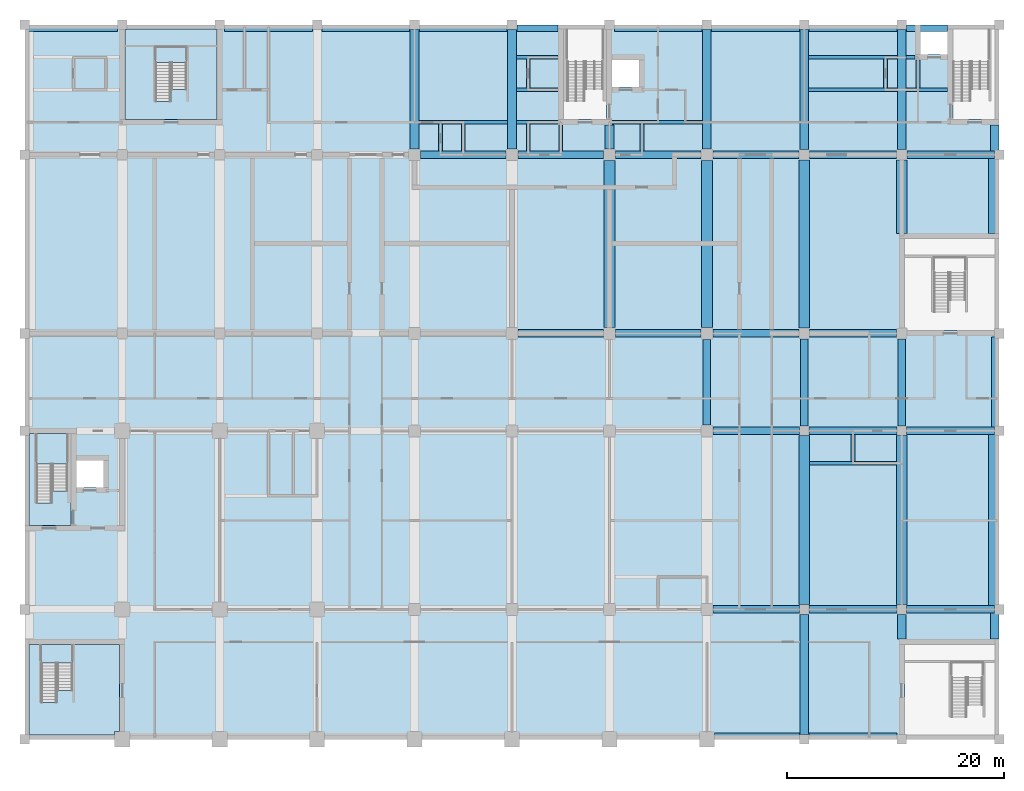
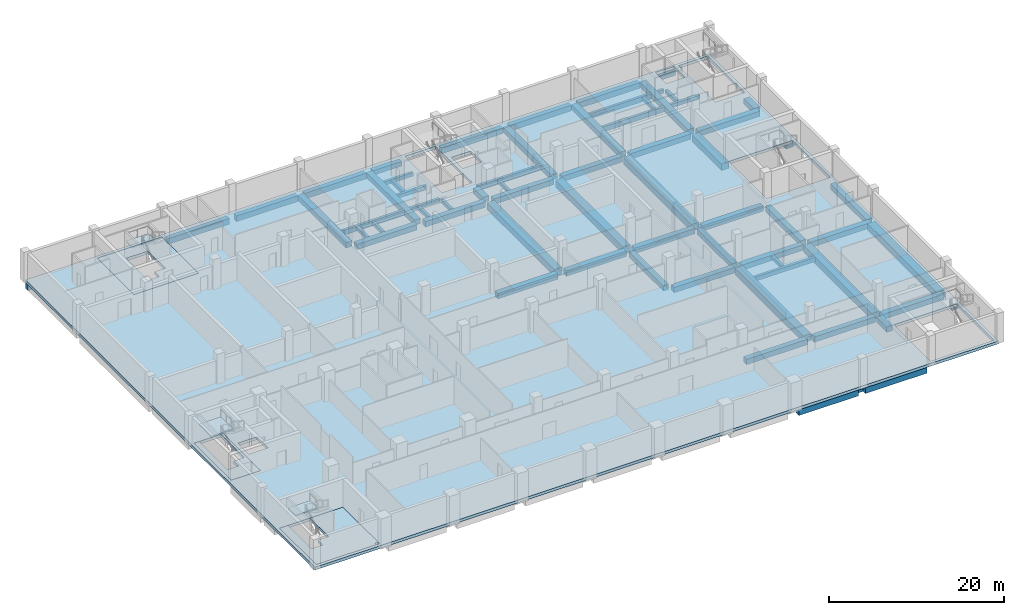
# One storey, part 2 of 16: 68 beams, 7 slabs, 3 elements without a shape of their own.
"""IFC4 building model written with IfcOpenShell, lengths in metres."""

from ifc_helpers import new_model, si_unit, direction, frame, origin, origin_2d, place, context, subcontext, project, spatial, polyline, rectangle, outline, extrude, material, layer, layer_set, material_profile, profile_set, type_object, element, aggregate, save


model = new_model("IFC4")

# Units and contexts
model_context = context("Model", 3, precision=1e-05, world=origin(), true_north=direction((0.0, 1.0)))
body_context = subcontext(model_context, "Body", "Model", "MODEL_VIEW")
ifc_project = project(units=[si_unit("LENGTHUNIT", "METRE"), si_unit("AREAUNIT", "SQUARE_METRE"), si_unit("VOLUMEUNIT", "CUBIC_METRE"), si_unit("PLANEANGLEUNIT", "RADIAN"), si_unit("MASSUNIT", "GRAM", prefix="KILO")], contexts=[model_context])

# Site, building, storey
site_placement = place(None, origin())
site = spatial("IfcSite", under=ifc_project, at=site_placement, CompositionType="ELEMENT")
building_placement = place(site_placement, origin())
building = spatial("IfcBuilding", under=site, at=building_placement, Name="Aurelan Courthouse", CompositionType="ELEMENT")
storey_placement = place(building_placement, frame((0.0, 0.0, -4.199951171875)))
storey = spatial("IfcBuildingStorey", under=building, at=storey_placement, Name="B1", CompositionType="ELEMENT", Elevation=-4.199951171875)

# Beams
ifc_material_1 = material(Name="Concrete C50", Category="concrete")
ifc_material_profile_1 = material_profile(ifc_material_1, rectangle(XDim=0.699951171875, YDim=0.75, at=origin_2d()), Name="RC 700 x 750")
ifc_profile_set_1 = profile_set([ifc_material_profile_1], Name="Concrete C50")
beam_type_1 = type_object("IfcBeamType", Name="PT beam 700 x 750", PredefinedType="BEAM", material=ifc_profile_set_1)
beam_1_placement = place(storey_placement, frame((63.0, 29.050048828125, -0.775146484375), z_axis=(0.0, 1.0, 0.0), x_axis=(-1.0, 0.0, 0.0)))
element("IfcBeam", 1, at=beam_1_placement, inside=storey, type_object=beam_type_1, Name="Girder GB-8CD", PredefinedType="BEAM", context=body_context, shape_type="SweptSolid", body=[
    extrude(rectangle(XDim=0.699951171875, YDim=0.75, at=origin_2d()), origin(), (0.0, 0.0, 1.0), 7.89990234375),
])
for number, where, z_axis, x_axis, name in (
    (2, (72.0, 28.949951171875, -0.775146484375), (0.0, 1.0, 0.0), (-1.0, 0.0, 0.0), "Girder GB-9CD"),
    (3, (81.0, 28.949951171875, -0.775146484375), (0.0, 1.0, 0.0), (-1.0, 0.0, 0.0), "Girder GB-10CD"),
):
    element("IfcBeam", number, at=place(storey_placement, frame(where, z_axis=z_axis, x_axis=x_axis)), inside=storey, type_object=beam_type_1, Name=name, PredefinedType="BEAM", context=body_context, shape_type="SweptSolid", body=[
        extrude(rectangle(XDim=0.699951171875, YDim=0.75, at=origin_2d()), origin(), (0.0, 0.0, 1.0), 8.050048828125),
    ])
beam_2_placement = place(storey_placement, frame((89.64990234375, 28.85009765625, -0.775146484375), z_axis=(0.0, 1.0, 0.0), x_axis=(-1.0, 0.0, 0.0)))
element("IfcBeam", 4, at=beam_2_placement, inside=storey, type_object=beam_type_1, Name="Girder GB-11CD-E", PredefinedType="BEAM", context=body_context, shape_type="SweptSolid", body=[
    extrude(rectangle(XDim=0.699951171875, YDim=0.75, at=origin_2d()), origin(), (0.0, 0.0, 1.0), 8.2998046875),
])
beam_3_placement = place(storey_placement, frame((63.550048828125, 12.0, -0.775146484375), z_axis=(1.0, 0.0, 0.0), x_axis=(0.0, 1.0, 0.0)))
element("IfcBeam", 5, at=beam_3_placement, inside=storey, type_object=beam_type_1, Name="Beam EB-B-8-9", PredefinedType="BEAM", context=body_context, shape_type="SweptSolid", body=[
    extrude(rectangle(XDim=0.699951171875, YDim=0.75, at=origin_2d()), origin(), (0.0, 0.0, 1.0), 8.0),
])
for number, where, z_axis, x_axis, name in (
    (6, (72.449951171875, 12.0, -0.775146484375), (1.0, 0.0, 0.0), (0.0, 1.0, 0.0), "Beam EB-B-9-10"),
    (7, (81.449951171875, 12.0, -0.775146484375), (1.0, 0.0, 0.0), (0.0, 1.0, 0.0), "Beam EB-B-10-11"),
):
    element("IfcBeam", number, at=place(storey_placement, frame(where, z_axis=z_axis, x_axis=x_axis)), inside=storey, type_object=beam_type_1, Name=name, PredefinedType="BEAM", context=body_context, shape_type="SweptSolid", body=[
        extrude(rectangle(XDim=0.699951171875, YDim=0.75, at=origin_2d()), origin(), (0.0, 0.0, 1.0), 8.10009765625),
    ])
beam_4_placement = place(storey_placement, frame((63.550048828125, 28.5, -0.775146484375), z_axis=(1.0, 0.0, 0.0), x_axis=(0.0, 1.0, 0.0)))
element("IfcBeam", 8, at=beam_4_placement, inside=storey, type_object=beam_type_1, Name="Beam EB-C-8-9", PredefinedType="BEAM", context=body_context, shape_type="SweptSolid", body=[
    extrude(rectangle(XDim=0.699951171875, YDim=0.75, at=origin_2d()), origin(), (0.0, 0.0, 1.0), 8.0),
])
for number, where, z_axis, x_axis, name in (
    (9, (72.449951171875, 28.5, -0.775146484375), (1.0, 0.0, 0.0), (0.0, 1.0, 0.0), "Beam EB-C-9-10"),
    (10, (81.449951171875, 28.5, -0.775146484375), (1.0, 0.0, 0.0), (0.0, 1.0, 0.0), "Beam EB-C-10-11"),
):
    element("IfcBeam", number, at=place(storey_placement, frame(where, z_axis=z_axis, x_axis=x_axis)), inside=storey, type_object=beam_type_1, Name=name, PredefinedType="BEAM", context=body_context, shape_type="SweptSolid", body=[
        extrude(rectangle(XDim=0.699951171875, YDim=0.75, at=origin_2d()), origin(), (0.0, 0.0, 1.0), 8.10009765625),
    ])
for number, where, z_axis, x_axis, name in (
    (11, (45.550048828125, 37.5, -0.775146484375), (1.0, 0.0, 0.0), (0.0, 1.0, 0.0), "Beam EB-D-6-7"),
    (12, (54.550048828125, 37.5, -0.775146484375), (1.0, 0.0, 0.0), (0.0, 1.0, 0.0), "Beam EB-D-7-8"),
):
    element("IfcBeam", number, at=place(storey_placement, frame(where, z_axis=z_axis, x_axis=x_axis)), inside=storey, type_object=beam_type_1, Name=name, PredefinedType="BEAM", context=body_context, shape_type="SweptSolid", body=[
        extrude(rectangle(XDim=0.699951171875, YDim=0.75, at=origin_2d()), origin(), (0.0, 0.0, 1.0), 7.89990234375),
    ])
beam_5_placement = place(storey_placement, frame((63.550048828125, 37.5, -0.775146484375), z_axis=(1.0, 0.0, 0.0), x_axis=(0.0, 1.0, 0.0)))
element("IfcBeam", 13, at=beam_5_placement, inside=storey, type_object=beam_type_1, Name="Beam EB-D-8-9", PredefinedType="BEAM", context=body_context, shape_type="SweptSolid", body=[
    extrude(rectangle(XDim=0.699951171875, YDim=0.75, at=origin_2d()), origin(), (0.0, 0.0, 1.0), 7.949951171875),
])
beam_6_placement = place(storey_placement, frame((72.5, 37.5, -0.775146484375), z_axis=(1.0, 0.0, 0.0), x_axis=(0.0, 1.0, 0.0)))
element("IfcBeam", 14, at=beam_6_placement, inside=storey, type_object=beam_type_1, Name="Beam EB-D-9-10", PredefinedType="BEAM", context=body_context, shape_type="SweptSolid", body=[
    extrude(rectangle(XDim=0.699951171875, YDim=0.75, at=origin_2d()), origin(), (0.0, 0.0, 1.0), 8.0),
])
for number, where, z_axis, x_axis, name in (
    (15, (36.550048828125, 54.0, -0.775146484375), (1.0, 0.0, 0.0), (0.0, 1.0, 0.0), "Beam EB-E-5-6"),
    (16, (45.550048828125, 54.0, -0.775146484375), (1.0, 0.0, 0.0), (0.0, 1.0, 0.0), "Beam EB-E-6-7"),
    (17, (54.550048828125, 54.0, -0.775146484375), (1.0, 0.0, 0.0), (0.0, 1.0, 0.0), "Beam EB-E-7-8"),
):
    element("IfcBeam", number, at=place(storey_placement, frame(where, z_axis=z_axis, x_axis=x_axis)), inside=storey, type_object=beam_type_1, Name=name, PredefinedType="BEAM", context=body_context, shape_type="SweptSolid", body=[
        extrude(rectangle(XDim=0.699951171875, YDim=0.75, at=origin_2d()), origin(), (0.0, 0.0, 1.0), 7.89990234375),
    ])
beam_7_placement = place(storey_placement, frame((63.550048828125, 54.0, -0.775146484375), z_axis=(1.0, 0.0, 0.0), x_axis=(0.0, 1.0, 0.0)))
element("IfcBeam", 18, at=beam_7_placement, inside=storey, type_object=beam_type_1, Name="Beam EB-E-8-9", PredefinedType="BEAM", context=body_context, shape_type="SweptSolid", body=[
    extrude(rectangle(XDim=0.699951171875, YDim=0.75, at=origin_2d()), origin(), (0.0, 0.0, 1.0), 7.949951171875),
])
beam_8_placement = place(storey_placement, frame((72.5, 54.0, -0.775146484375), z_axis=(1.0, 0.0, 0.0), x_axis=(0.0, 1.0, 0.0)))
element("IfcBeam", 19, at=beam_8_placement, inside=storey, type_object=beam_type_1, Name="Beam EB-E-9-10", PredefinedType="BEAM", context=body_context, shape_type="SweptSolid", body=[
    extrude(rectangle(XDim=0.699951171875, YDim=0.75, at=origin_2d()), origin(), (0.0, 0.0, 1.0), 8.0),
])
beam_9_placement = place(storey_placement, frame((81.5, 54.0, -0.775146484375), z_axis=(1.0, 0.0, 0.0), x_axis=(0.0, 1.0, 0.0)))
element("IfcBeam", 20, at=beam_9_placement, inside=storey, type_object=beam_type_1, Name="Beam EB-E-10-11", PredefinedType="BEAM", context=body_context, shape_type="SweptSolid", body=[
    extrude(rectangle(XDim=0.699951171875, YDim=0.75, at=origin_2d()), origin(), (0.0, 0.0, 1.0), 8.050048828125),
])
ifc_material_profile_2 = material_profile(ifc_material_1, rectangle(XDim=1.0, YDim=0.949951171875, at=origin_2d()), Name="RC 1000 x 950")
ifc_profile_set_2 = profile_set([ifc_material_profile_2], Name="Concrete C50")
beam_type_2 = type_object("IfcBeamType", Name="PT girder 1000 x 950", PredefinedType="BEAM", material=ifc_profile_set_2)
for number, where, z_axis, x_axis, name in (
    (21, (54.0, 38.050048828125, -0.875), (0.0, 1.0, 0.0), (-1.0, 0.0, 0.0), "Girder GB-7DE"),
    (22, (63.0, 38.050048828125, -0.875), (0.0, 1.0, 0.0), (-1.0, 0.0, 0.0), "Girder GB-8DE"),
):
    element("IfcBeam", number, at=place(storey_placement, frame(where, z_axis=z_axis, x_axis=x_axis)), inside=storey, type_object=beam_type_2, Name=name, PredefinedType="BEAM", context=body_context, shape_type="SweptSolid", body=[
        extrude(rectangle(XDim=1.0, YDim=0.949951171875, at=origin_2d()), origin(), (0.0, 0.0, 1.0), 15.39990234375),
    ])
beam_10_placement = place(storey_placement, frame((72.0, 12.449951171875, -0.875), z_axis=(0.0, 1.0, 0.0), x_axis=(-1.0, 0.0, 0.0)))
element("IfcBeam", 23, at=beam_10_placement, inside=storey, type_object=beam_type_2, Name="Girder GB-9BC", PredefinedType="BEAM", context=body_context, shape_type="SweptSolid", body=[
    extrude(rectangle(XDim=1.0, YDim=0.949951171875, at=origin_2d()), origin(), (0.0, 0.0, 1.0), 15.60009765625),
])
beam_11_placement = place(storey_placement, frame((72.0, 38.0, -0.875), z_axis=(0.0, 1.0, 0.0), x_axis=(-1.0, 0.0, 0.0)))
element("IfcBeam", 24, at=beam_11_placement, inside=storey, type_object=beam_type_2, Name="Girder GB-9DE", PredefinedType="BEAM", context=body_context, shape_type="SweptSolid", body=[
    extrude(rectangle(XDim=1.0, YDim=0.949951171875, at=origin_2d()), origin(), (0.0, 0.0, 1.0), 15.5),
])
beam_12_placement = place(storey_placement, frame((81.0, 12.449951171875, -0.875), z_axis=(0.0, 1.0, 0.0), x_axis=(-1.0, 0.0, 0.0)))
element("IfcBeam", 25, at=beam_12_placement, inside=storey, type_object=beam_type_2, Name="Girder GB-10BC", PredefinedType="BEAM", context=body_context, shape_type="SweptSolid", body=[
    extrude(rectangle(XDim=1.0, YDim=0.949951171875, at=origin_2d()), origin(), (0.0, 0.0, 1.0), 15.60009765625),
])
beam_13_placement = place(storey_placement, frame((81.0, 46.75, -0.875), z_axis=(0.0, 1.0, 0.0), x_axis=(-1.0, 0.0, 0.0)))
element("IfcBeam", 26, at=beam_13_placement, inside=storey, type_object=beam_type_2, Name="Girder GB-10DE", PredefinedType="BEAM", context=body_context, shape_type="SweptSolid", body=[
    extrude(rectangle(XDim=1.0, YDim=0.949951171875, at=origin_2d()), origin(), (0.0, 0.0, 1.0), 6.75),
])
beam_14_placement = place(storey_placement, frame((89.5, 12.35009765625, -0.875), z_axis=(0.0, 1.0, 0.0), x_axis=(-1.0, 0.0, 0.0)))
element("IfcBeam", 27, at=beam_14_placement, inside=storey, type_object=beam_type_2, Name="Girder GB-11BC-E", PredefinedType="BEAM", context=body_context, shape_type="SweptSolid", body=[
    extrude(rectangle(XDim=1.0, YDim=0.949951171875, at=origin_2d()), origin(), (0.0, 0.0, 1.0), 15.7998046875),
])
beam_15_placement = place(storey_placement, frame((89.5, 46.75, -0.875), z_axis=(0.0, 1.0, 0.0), x_axis=(-1.0, 0.0, 0.0)))
element("IfcBeam", 28, at=beam_15_placement, inside=storey, type_object=beam_type_2, Name="Girder GB-11DE-E", PredefinedType="BEAM", context=body_context, shape_type="SweptSolid", body=[
    extrude(rectangle(XDim=1.0, YDim=0.949951171875, at=origin_2d()), origin(), (0.0, 0.0, 1.0), 6.89990234375),
])
ifc_material_profile_3 = material_profile(ifc_material_1, rectangle(XDim=0.800048828125, YDim=0.75, at=origin_2d()), Name="RC 800 x 750")
ifc_profile_set_3 = profile_set([ifc_material_profile_3], Name="Concrete C50")
beam_type_3 = type_object("IfcBeamType", Name="PT girder 800 x 750", PredefinedType="BEAM", material=ifc_profile_set_3)
for number, where, z_axis, x_axis, name in (
    (29, (36.0, 54.550048828125, -0.775146484375), (0.0, 1.0, 0.0), (-1.0, 0.0, 0.0), "Girder GB-5EF"),
    (30, (45.0, 54.550048828125, -0.775146484375), (0.0, 1.0, 0.0), (-1.0, 0.0, 0.0), "Girder GB-6EF"),
):
    element("IfcBeam", number, at=place(storey_placement, frame(where, z_axis=z_axis, x_axis=x_axis)), inside=storey, type_object=beam_type_3, Name=name, PredefinedType="BEAM", context=body_context, shape_type="SweptSolid", body=[
        extrude(rectangle(XDim=0.800048828125, YDim=0.75, at=origin_2d()), origin(), (0.0, 0.0, 1.0), 11.0),
    ])
beam_16_placement = place(storey_placement, frame((54.0, 54.550048828125, -0.775146484375), z_axis=(0.0, 1.0, 0.0), x_axis=(-1.0, 0.0, 0.0)))
element("IfcBeam", 31, at=beam_16_placement, inside=storey, type_object=beam_type_3, Name="Girder GB-7EF", PredefinedType="BEAM", context=body_context, shape_type="SweptSolid", body=[
    extrude(rectangle(XDim=0.800048828125, YDim=0.75, at=origin_2d()), origin(), (0.0, 0.0, 1.0), 2.199951171875),
])
beam_17_placement = place(storey_placement, frame((63.0, 54.550048828125, -0.775146484375), z_axis=(0.0, 1.0, 0.0), x_axis=(-1.0, 0.0, 0.0)))
element("IfcBeam", 32, at=beam_17_placement, inside=storey, type_object=beam_type_3, Name="Girder GB-8EF", PredefinedType="BEAM", context=body_context, shape_type="SweptSolid", body=[
    extrude(rectangle(XDim=0.800048828125, YDim=0.75, at=origin_2d()), origin(), (0.0, 0.0, 1.0), 11.0),
])
beam_18_placement = place(storey_placement, frame((72.0, 0.449951171875, -0.775146484375), z_axis=(0.0, 1.0, 0.0), x_axis=(-1.0, 0.0, 0.0)))
element("IfcBeam", 33, at=beam_18_placement, inside=storey, type_object=beam_type_3, Name="Girder GB-9AB", PredefinedType="BEAM", context=body_context, shape_type="SweptSolid", body=[
    extrude(rectangle(XDim=0.800048828125, YDim=0.75, at=origin_2d()), origin(), (0.0, 0.0, 1.0), 11.10009765625),
])
beam_19_placement = place(storey_placement, frame((72.0, 54.5, -0.775146484375), z_axis=(0.0, 1.0, 0.0), x_axis=(-1.0, 0.0, 0.0)))
element("IfcBeam", 34, at=beam_19_placement, inside=storey, type_object=beam_type_3, Name="Girder GB-9EF", PredefinedType="BEAM", context=body_context, shape_type="SweptSolid", body=[
    extrude(rectangle(XDim=0.800048828125, YDim=0.75, at=origin_2d()), origin(), (0.0, 0.0, 1.0), 11.050048828125),
])
beam_20_placement = place(storey_placement, frame((81.0, 9.25, -0.775146484375), z_axis=(0.0, 1.0, 0.0), x_axis=(-1.0, 0.0, 0.0)))
element("IfcBeam", 35, at=beam_20_placement, inside=storey, type_object=beam_type_3, Name="Girder GB-10AB", PredefinedType="BEAM", context=body_context, shape_type="SweptSolid", body=[
    extrude(rectangle(XDim=0.800048828125, YDim=0.75, at=origin_2d()), origin(), (0.0, 0.0, 1.0), 2.300048828125),
])
beam_21_placement = place(storey_placement, frame((81.0, 54.5, -0.775146484375), z_axis=(0.0, 1.0, 0.0), x_axis=(-1.0, 0.0, 0.0)))
element("IfcBeam", 36, at=beam_21_placement, inside=storey, type_object=beam_type_3, Name="Girder GB-10EF", PredefinedType="BEAM", context=body_context, shape_type="SweptSolid", body=[
    extrude(rectangle(XDim=0.800048828125, YDim=0.75, at=origin_2d()), origin(), (0.0, 0.0, 1.0), 11.050048828125),
])
for number, where, z_axis, x_axis, name in (
    (37, (89.60009765625, 9.25, -0.775146484375), (0.0, 1.0, 0.0), (-1.0, 0.0, 0.0), "Girder GB-11AB-E"),
    (38, (89.60009765625, 54.35009765625, -0.775146484375), (0.0, 1.0, 0.0), (-1.0, 0.0, 0.0), "Girder GB-11EF-E"),
):
    element("IfcBeam", number, at=place(storey_placement, frame(where, z_axis=z_axis, x_axis=x_axis)), inside=storey, type_object=beam_type_3, Name=name, PredefinedType="BEAM", context=body_context, shape_type="SweptSolid", body=[
        extrude(rectangle(XDim=0.800048828125, YDim=0.75, at=origin_2d()), origin(), (0.0, 0.0, 1.0), 2.39990234375),
    ])
ifc_material_profile_4 = material_profile(ifc_material_1, rectangle(XDim=0.60009765625, YDim=0.64990234375, at=origin_2d()), Name="RC 600 x 650")
ifc_profile_set_4 = profile_set([ifc_material_profile_4], Name="Concrete C50")
beam_type_4 = type_object("IfcBeamType", Name="RC spandrel beam 600 x 650", PredefinedType="SPANDREL", material=ifc_profile_set_4)
for number, where, z_axis, x_axis, name in (
    (39, (45.449951171875, 65.699951171875, -0.72509765625), (1.0, 0.0, 0.0), (0.0, 1.0, 0.0), "Spandrel beam SB-F-6-7"),
    (40, (81.449951171875, 65.699951171875, -0.72509765625), (1.0, 0.0, 0.0), (0.0, 1.0, 0.0), "Spandrel beam SB-F-10-11"),
):
    element("IfcBeam", number, at=place(storey_placement, frame(where, z_axis=z_axis, x_axis=x_axis)), inside=storey, type_object=beam_type_4, Name=name, PredefinedType="SPANDREL", context=body_context, shape_type="SweptSolid", body=[
        extrude(rectangle(XDim=0.60009765625, YDim=0.64990234375, at=origin_2d()), origin(), (0.0, 0.0, 1.0), 3.800048828125),
    ])
ifc_material_profile_5 = material_profile(ifc_material_1, rectangle(XDim=0.60009765625, YDim=0.800048828125, at=origin_2d()), Name="RC 600 x 800")
ifc_profile_set_5 = profile_set([ifc_material_profile_5], Name="Concrete C50")
beam_type_5 = type_object("IfcBeamType", Name="RC spandrel beam 600 x 800", PredefinedType="SPANDREL", material=ifc_profile_set_5)
beam_22_placement = place(storey_placement, frame((63.699951171875, 0.300048828125, -0.800048828125), z_axis=(1.0, 0.0, 0.0), x_axis=(0.0, 1.0, 0.0)))
element("IfcBeam", 41, at=beam_22_placement, inside=storey, type_object=beam_type_5, Name="Spandrel beam SB-A-8-9", PredefinedType="SPANDREL", context=body_context, shape_type="SweptSolid", body=[
    extrude(rectangle(XDim=0.60009765625, YDim=0.800048828125, at=origin_2d()), origin(), (0.0, 0.0, 1.0), 7.85009765625),
])
beam_23_placement = place(storey_placement, frame((72.449951171875, 0.300048828125, -0.800048828125), z_axis=(1.0, 0.0, 0.0), x_axis=(0.0, 1.0, 0.0)))
element("IfcBeam", 42, at=beam_23_placement, inside=storey, type_object=beam_type_5, Name="Spandrel beam SB-A-9-10", PredefinedType="SPANDREL", context=body_context, shape_type="SweptSolid", body=[
    extrude(rectangle(XDim=0.60009765625, YDim=0.800048828125, at=origin_2d()), origin(), (0.0, 0.0, 1.0), 8.10009765625),
])
beam_24_placement = place(storey_placement, frame((0.0, 65.699951171875, -0.800048828125), z_axis=(1.0, 0.0, 0.0), x_axis=(0.0, 1.0, 0.0)))
element("IfcBeam", 43, at=beam_24_placement, inside=storey, type_object=beam_type_5, Name="Spandrel beam SB-F-1-2", PredefinedType="SPANDREL", context=body_context, shape_type="SweptSolid", body=[
    extrude(rectangle(XDim=0.60009765625, YDim=0.800048828125, at=origin_2d()), origin(), (0.0, 0.0, 1.0), 8.550048828125),
])
for number, where, z_axis, x_axis, name in (
    (44, (18.449951171875, 65.699951171875, -0.800048828125), (1.0, 0.0, 0.0), (0.0, 1.0, 0.0), "Spandrel beam SB-F-3-4"),
    (45, (27.449951171875, 65.699951171875, -0.800048828125), (1.0, 0.0, 0.0), (0.0, 1.0, 0.0), "Spandrel beam SB-F-4-5"),
    (46, (36.449951171875, 65.699951171875, -0.800048828125), (1.0, 0.0, 0.0), (0.0, 1.0, 0.0), "Spandrel beam SB-F-5-6"),
    (47, (54.449951171875, 65.699951171875, -0.800048828125), (1.0, 0.0, 0.0), (0.0, 1.0, 0.0), "Spandrel beam SB-F-7-8"),
    (48, (63.449951171875, 65.699951171875, -0.800048828125), (1.0, 0.0, 0.0), (0.0, 1.0, 0.0), "Spandrel beam SB-F-8-9"),
    (49, (72.449951171875, 65.699951171875, -0.800048828125), (1.0, 0.0, 0.0), (0.0, 1.0, 0.0), "Spandrel beam SB-F-9-10"),
):
    element("IfcBeam", number, at=place(storey_placement, frame(where, z_axis=z_axis, x_axis=x_axis)), inside=storey, type_object=beam_type_5, Name=name, PredefinedType="SPANDREL", context=body_context, shape_type="SweptSolid", body=[
        extrude(rectangle(XDim=0.60009765625, YDim=0.800048828125, at=origin_2d()), origin(), (0.0, 0.0, 1.0), 8.10009765625),
    ])
ifc_material_2 = material(Name="Concrete C40", Category="concrete")
ifc_material_profile_6 = material_profile(ifc_material_2, rectangle(XDim=0.35009765625, YDim=0.5, at=origin_2d()), Name="RC 350 x 500")
ifc_profile_set_6 = profile_set([ifc_material_profile_6], Name="Concrete C40")
beam_type_6 = type_object("IfcBeamType", Name="RC wall beam 350 x 500", PredefinedType="BEAM", material=ifc_profile_set_6)
for number, where, z_axis, x_axis, name in (
    (50, (81.39990234375, 60.0, -0.650146484375), (1.0, 0.0, 0.0), (0.0, 1.0, 0.0), "Wall beam WB-B1-008"),
    (51, (45.39990234375, 57.0, -0.650146484375), (1.0, 0.0, 0.0), (0.0, 1.0, 0.0), "Wall beam WB-B1-009"),
):
    element("IfcBeam", number, at=place(storey_placement, frame(where, z_axis=z_axis, x_axis=x_axis)), inside=storey, type_object=beam_type_6, Name=name, PredefinedType="BEAM", context=body_context, shape_type="SweptSolid", body=[
        extrude(rectangle(XDim=0.35009765625, YDim=0.5, at=origin_2d()), origin(), (0.0, 0.0, 1.0), 3.85009765625),
    ])
beam_25_placement = place(storey_placement, frame((81.39990234375, 63.0, -0.650146484375), z_axis=(1.0, 0.0, 0.0), x_axis=(0.0, 1.0, 0.0)))
element("IfcBeam", 52, at=beam_25_placement, inside=storey, type_object=beam_type_6, Name="Wall beam WB-B1-011", PredefinedType="BEAM", context=body_context, shape_type="SweptSolid", body=[
    extrude(rectangle(XDim=0.35009765625, YDim=0.5, at=origin_2d()), origin(), (0.0, 0.0, 1.0), 0.85009765625),
])
beam_26_placement = place(storey_placement, frame((49.5, 54.35009765625, -0.650146484375), z_axis=(0.0, 1.0, 0.0), x_axis=(-1.0, 0.0, 0.0)))
element("IfcBeam", 53, at=beam_26_placement, inside=storey, type_object=beam_type_6, Name="Wall beam WB-B1-013", PredefinedType="BEAM", context=body_context, shape_type="SweptSolid", body=[
    extrude(rectangle(XDim=0.35009765625, YDim=0.5, at=origin_2d()), origin(), (0.0, 0.0, 1.0), 2.39990234375),
])
for number, where, z_axis, x_axis, name in (
    (54, (45.39990234375, 60.0, -0.650146484375), (1.0, 0.0, 0.0), (0.0, 1.0, 0.0), "Wall beam WB-B1-014"),
    (55, (45.39990234375, 63.0, -0.650146484375), (1.0, 0.0, 0.0), (0.0, 1.0, 0.0), "Wall beam WB-B1-015"),
):
    element("IfcBeam", number, at=place(storey_placement, frame(where, z_axis=z_axis, x_axis=x_axis)), inside=storey, type_object=beam_type_6, Name=name, PredefinedType="BEAM", context=body_context, shape_type="SweptSolid", body=[
        extrude(rectangle(XDim=0.35009765625, YDim=0.5, at=origin_2d()), origin(), (0.0, 0.0, 1.0), 3.85009765625),
    ])
beam_27_placement = place(storey_placement, frame((82.5, 60.175048828125, -0.650146484375), z_axis=(0.0, 1.0, 0.0), x_axis=(-1.0, 0.0, 0.0)))
element("IfcBeam", 56, at=beam_27_placement, inside=storey, type_object=beam_type_6, Name="Wall beam WB-B1-020", PredefinedType="BEAM", context=body_context, shape_type="SweptSolid", body=[
    extrude(rectangle(XDim=0.35009765625, YDim=0.5, at=origin_2d()), origin(), (0.0, 0.0, 1.0), 2.574951171875),
])
for number, where, z_axis, x_axis, name in (
    (57, (76.5, 25.675048828125, -0.650146484375), (0.0, 1.0, 0.0), (-1.0, 0.0, 0.0), "Wall beam WB-B1-021"),
    (58, (38.39990234375, 54.35009765625, -0.650146484375), (0.0, 1.0, 0.0), (-1.0, 0.0, 0.0), "Wall beam WB-B1-022"),
    (59, (40.5, 54.35009765625, -0.650146484375), (0.0, 1.0, 0.0), (-1.0, 0.0, 0.0), "Wall beam WB-B1-023"),
    (60, (46.5, 54.35009765625, -0.650146484375), (0.0, 1.0, 0.0), (-1.0, 0.0, 0.0), "Wall beam WB-B1-024"),
):
    element("IfcBeam", number, at=place(storey_placement, frame(where, z_axis=z_axis, x_axis=x_axis)), inside=storey, type_object=beam_type_6, Name=name, PredefinedType="BEAM", context=body_context, shape_type="SweptSolid", body=[
        extrude(rectangle(XDim=0.35009765625, YDim=0.5, at=origin_2d()), origin(), (0.0, 0.0, 1.0), 2.474853515625),
    ])
beam_28_placement = place(storey_placement, frame((46.5, 60.175048828125, -0.650146484375), z_axis=(0.0, 1.0, 0.0), x_axis=(-1.0, 0.0, 0.0)))
element("IfcBeam", 61, at=beam_28_placement, inside=storey, type_object=beam_type_6, Name="Wall beam WB-B1-028", PredefinedType="BEAM", context=body_context, shape_type="SweptSolid", body=[
    extrude(rectangle(XDim=0.35009765625, YDim=0.5, at=origin_2d()), origin(), (0.0, 0.0, 1.0), 2.64990234375),
])
beam_29_placement = place(storey_placement, frame((57.0, 54.35009765625, -0.650146484375), z_axis=(0.0, 1.0, 0.0), x_axis=(-1.0, 0.0, 0.0)))
element("IfcBeam", 62, at=beam_29_placement, inside=storey, type_object=beam_type_6, Name="Wall beam WB-B1-029", PredefinedType="BEAM", context=body_context, shape_type="SweptSolid", body=[
    extrude(rectangle(XDim=0.35009765625, YDim=0.5, at=origin_2d()), origin(), (0.0, 0.0, 1.0), 2.474853515625),
])
beam_30_placement = place(storey_placement, frame((79.5, 60.175048828125, -0.650146484375), z_axis=(0.0, 1.0, 0.0), x_axis=(-1.0, 0.0, 0.0)))
element("IfcBeam", 63, at=beam_30_placement, inside=storey, type_object=beam_type_6, Name="Wall beam WB-B1-030", PredefinedType="BEAM", context=body_context, shape_type="SweptSolid", body=[
    extrude(rectangle(XDim=0.35009765625, YDim=0.5, at=origin_2d()), origin(), (0.0, 0.0, 1.0), 2.64990234375),
])
ifc_material_profile_7 = material_profile(ifc_material_2, rectangle(XDim=0.35009765625, YDim=0.60009765625, at=origin_2d()), Name="RC 350 x 600")
ifc_profile_set_7 = profile_set([ifc_material_profile_7], Name="Concrete C40")
beam_type_7 = type_object("IfcBeamType", Name="RC wall beam 350 x 600", PredefinedType="BEAM", material=ifc_profile_set_7)
beam_31_placement = place(storey_placement, frame((72.5, 25.5, -0.699951171875), z_axis=(1.0, 0.0, 0.0), x_axis=(0.0, 1.0, 0.0)))
element("IfcBeam", 64, at=beam_31_placement, inside=storey, type_object=beam_type_7, Name="Wall beam WB-B1-004", PredefinedType="BEAM", context=body_context, shape_type="SweptSolid", body=[
    extrude(rectangle(XDim=0.35009765625, YDim=0.60009765625, at=origin_2d()), origin(), (0.0, 0.0, 1.0), 8.0),
])
ifc_material_profile_8 = material_profile(ifc_material_2, rectangle(XDim=0.35009765625, YDim=0.699951171875, at=origin_2d()), Name="RC 350 x 700")
ifc_profile_set_8 = profile_set([ifc_material_profile_8], Name="Concrete C40")
beam_type_8 = type_object("IfcBeamType", Name="RC wall beam 350 x 700", PredefinedType="BEAM", material=ifc_profile_set_8)
for number, where, z_axis, x_axis, name in (
    (65, (72.39990234375, 60.0, -0.75), (1.0, 0.0, 0.0), (0.0, 1.0, 0.0), "Wall beam WB-B1-007"),
    (66, (72.39990234375, 63.0, -0.75), (1.0, 0.0, 0.0), (0.0, 1.0, 0.0), "Wall beam WB-B1-010"),
):
    element("IfcBeam", number, at=place(storey_placement, frame(where, z_axis=z_axis, x_axis=x_axis)), inside=storey, type_object=beam_type_8, Name=name, PredefinedType="BEAM", context=body_context, shape_type="SweptSolid", body=[
        extrude(rectangle(XDim=0.35009765625, YDim=0.699951171875, at=origin_2d()), origin(), (0.0, 0.0, 1.0), 8.2001953125),
    ])
beam_32_placement = place(storey_placement, frame((54.25, 57.0, -0.75), z_axis=(1.0, 0.0, 0.0), x_axis=(0.0, 1.0, 0.0)))
element("IfcBeam", 67, at=beam_32_placement, inside=storey, type_object=beam_type_8, Name="Wall beam WB-B1-012", PredefinedType="BEAM", context=body_context, shape_type="SweptSolid", body=[
    extrude(rectangle(XDim=0.35009765625, YDim=0.699951171875, at=origin_2d()), origin(), (0.0, 0.0, 1.0), 8.35009765625),
])
beam_33_placement = place(storey_placement, frame((36.39990234375, 57.0, -0.75), z_axis=(1.0, 0.0, 0.0), x_axis=(0.0, 1.0, 0.0)))
element("IfcBeam", 68, at=beam_33_placement, inside=storey, type_object=beam_type_8, Name="Wall beam WB-B1-016", PredefinedType="BEAM", context=body_context, shape_type="SweptSolid", body=[
    extrude(rectangle(XDim=0.35009765625, YDim=0.699951171875, at=origin_2d()), origin(), (0.0, 0.0, 1.0), 8.2001953125),
])

# Slab
ifc_layer_1 = layer(ifc_material_2, 0.39990234375)
ifc_layer_set_1 = layer_set([ifc_layer_1], Name="Concrete C40")
slab_type_1 = type_object("IfcSlabType", Name="PT floor slab 400", PredefinedType="FLOOR", material=ifc_layer_set_1)
slab_1_placement = place(storey_placement, frame((0.0, 0.0, -0.400146484375)))
element("IfcSlab", 69, at=slab_1_placement, inside=storey, type_object=slab_type_1, Name="Floor slab SL-B1-01", PredefinedType="FLOOR", context=body_context, shape_type="SweptSolid", body=[
    extrude(outline(polyline([(0.0, 66.0), (0.0, 0.0), (90.0, 0.0), (90.0, 66.0), (0.0, 66.0)]), holes=[polyline([(81.25, 37.75), (81.25, 46.25), (89.60009765625, 46.25), (89.60009765625, 37.75), (81.25, 37.75)]), polyline([(89.60009765625, 8.75), (89.60009765625, 0.39990234375), (81.25, 0.39990234375), (81.25, 8.75), (89.60009765625, 8.75)]), polyline([(89.60009765625, 65.60009765625), (89.60009765625, 57.25), (85.75, 57.25), (85.75, 65.60009765625), (89.60009765625, 65.60009765625)]), polyline([(82.75, 65.75), (85.25, 65.75), (85.25, 63.25), (82.75, 63.25), (82.75, 65.75)]), polyline([(54.25, 60.25), (54.25, 62.75), (56.75, 62.75), (56.75, 60.25), (54.25, 60.25)]), polyline([(49.75, 65.60009765625), (53.75, 65.60009765625), (53.75, 57.25), (49.75, 57.25), (49.75, 65.60009765625)]), polyline([(17.75, 57.25), (9.25, 57.25), (9.25, 65.60009765625), (17.75, 65.60009765625), (17.75, 57.25)]), polyline([(0.39990234375, 8.75), (8.75, 8.75), (8.75, 0.39990234375), (0.39990234375, 0.39990234375), (0.39990234375, 8.75)]), polyline([(7.25, 25.75), (7.25, 23.25), (4.75, 23.25), (4.75, 25.75), (7.25, 25.75)]), polyline([(4.25, 19.75), (0.39990234375, 19.75), (0.39990234375, 28.25), (4.25, 28.25), (4.25, 19.75)])]), origin(), (0.0, 0.0, 1.0), 0.400146484375),
])

# Stair, slab
ifc_material_3 = material(Name="Concrete C30", Category="concrete")
stair_type = type_object("IfcStairType", Name="Half-turn stair 1400 wide 24 risers", PredefinedType="HALF_TURN_STAIR", material=ifc_material_3)
stair_1_placement = place(storey_placement, origin())
stair_1 = element("IfcStair", 70, at=stair_1_placement, inside=storey, type_object=stair_type, Name="Stair BS-1-B1", PredefinedType="HALF_TURN_STAIR")
ifc_layer_2 = layer(ifc_material_3, 0.39990234375)
ifc_layer_set_2 = layer_set([ifc_layer_2], Name="Concrete C30")
slab_type_2 = type_object("IfcSlabType", Name="Stair floor landing 400 thick", PredefinedType="LANDING", material=ifc_layer_set_2)
slab_2_placement = place(storey_placement, frame((0.0, 0.0, -0.400146484375)))
slab_2 = element("IfcSlab", 71, at=slab_2_placement, type_object=slab_type_2, Name="Stair BS-1-B1 floor landing", PredefinedType="LANDING", context=body_context, shape_type="SweptSolid", body=[
    extrude(outline(polyline([(1.510009765625, 3.40087890625), (3.010009765625, 3.40087890625), (3.010009765625, 4.52099609375), (4.409912109375, 4.52099609375), (4.409912109375, 8.75), (8.75, 8.75), (8.75, 0.699951171875), (8.300048828125, 0.699951171875), (8.300048828125, 0.39990234375), (0.449951171875, 0.39990234375), (0.449951171875, 0.449951171875), (0.39990234375, 0.449951171875), (0.39990234375, 8.75), (1.510009765625, 8.75), (1.510009765625, 3.40087890625)])), origin(), (0.0, 0.0, 1.0), 0.400146484375),
])

stair_2_placement = place(storey_placement, origin())
stair_2 = element("IfcStair", 72, at=stair_2_placement, inside=storey, type_object=stair_type, Name="Stair BS-3-B1", PredefinedType="HALF_TURN_STAIR")
slab_3_placement = place(storey_placement, frame((0.0, 0.0, -0.400146484375)))
slab_3 = element("IfcSlab", 73, at=slab_3_placement, type_object=slab_type_2, Name="Stair BS-3-B1 floor landing", PredefinedType="LANDING", context=body_context, shape_type="SweptSolid", body=[
    extrude(outline(polyline([(17.75, 57.25), (9.25, 57.25), (9.25, 65.550048828125), (9.449951171875, 65.550048828125), (9.449951171875, 65.60009765625), (17.550048828125, 65.60009765625), (17.550048828125, 65.550048828125), (17.75, 65.550048828125), (17.75, 57.25)]), holes=[polyline([(12.050048828125, 63.945068359375), (12.050048828125, 58.906005859375), (13.550048828125, 58.906005859375), (13.550048828125, 60.02587890625), (14.949951171875, 60.02587890625), (14.949951171875, 63.945068359375), (12.050048828125, 63.945068359375)])]), origin(), (0.0, 0.0, 1.0), 0.400146484375),
])

stair_3_placement = place(storey_placement, origin())
stair_3 = element("IfcStair", 74, at=stair_3_placement, inside=storey, type_object=stair_type, Name="Stair ST-5B-B1", PredefinedType="HALF_TURN_STAIR")
slab_4_placement = place(storey_placement, frame((0.0, 0.0, -0.400146484375)))
slab_4 = element("IfcSlab", 75, at=slab_4_placement, type_object=slab_type_2, Name="Stair ST-5B-B1 floor landing", PredefinedType="LANDING", context=body_context, shape_type="SweptSolid", body=[
    extrude(outline(polyline([(1.06005859375, 21.81103515625), (2.56005859375, 21.81103515625), (2.56005859375, 22.930908203125), (3.9599609375, 22.930908203125), (3.9599609375, 28.25), (4.25, 28.25), (4.25, 19.75), (0.39990234375, 19.75), (0.39990234375, 28.050048828125), (0.449951171875, 28.050048828125), (0.449951171875, 28.25), (1.06005859375, 28.25), (1.06005859375, 21.81103515625)])), origin(), (0.0, 0.0, 1.0), 0.400146484375),
])

# Slab
ifc_layer_3 = layer(ifc_material_3, 0.199951171875)
ifc_layer_set_3 = layer_set([ifc_layer_3], Name="Concrete C30")
slab_type_3 = type_object("IfcSlabType", Name="Stair half landing 200 thick", PredefinedType="LANDING", material=ifc_layer_set_3)
slab_5_placement = place(storey_placement, frame((0.0, 0.0, 2.25)))
slab_5 = element("IfcSlab", 76, at=slab_5_placement, type_object=slab_type_3, Name="Stair BS-1-B1 half landing", PredefinedType="LANDING", context=body_context, shape_type="SweptSolid", body=[
    extrude(outline(polyline([(1.510009765625, 8.75), (4.409912109375, 8.75), (4.409912109375, 7.0400390625), (1.510009765625, 7.0400390625), (1.510009765625, 8.75)])), origin(), (0.0, 0.0, 1.0), 0.199951171875),
])

aggregate(stair_1, [slab_5, slab_2])

slab_6_placement = place(storey_placement, frame((0.0, 0.0, 2.25)))
slab_6 = element("IfcSlab", 77, at=slab_6_placement, type_object=slab_type_3, Name="Stair BS-3-B1 half landing", PredefinedType="LANDING", context=body_context, shape_type="SweptSolid", body=[
    extrude(outline(polyline([(12.050048828125, 63.945068359375), (14.949951171875, 63.945068359375), (14.949951171875, 62.544921875), (12.050048828125, 62.544921875), (12.050048828125, 63.945068359375)])), origin(), (0.0, 0.0, 1.0), 0.199951171875),
])

aggregate(stair_2, [slab_6, slab_3])

slab_7_placement = place(storey_placement, frame((0.0, 0.0, 2.25)))
slab_7 = element("IfcSlab", 78, at=slab_7_placement, type_object=slab_type_3, Name="Stair ST-5B-B1 half landing", PredefinedType="LANDING", context=body_context, shape_type="SweptSolid", body=[
    extrude(outline(polyline([(1.06005859375, 28.25), (3.9599609375, 28.25), (3.9599609375, 25.449951171875), (1.06005859375, 25.449951171875), (1.06005859375, 28.25)])), origin(), (0.0, 0.0, 1.0), 0.199951171875),
])

aggregate(stair_3, [slab_7, slab_4])

save(model, "model.ifc")
